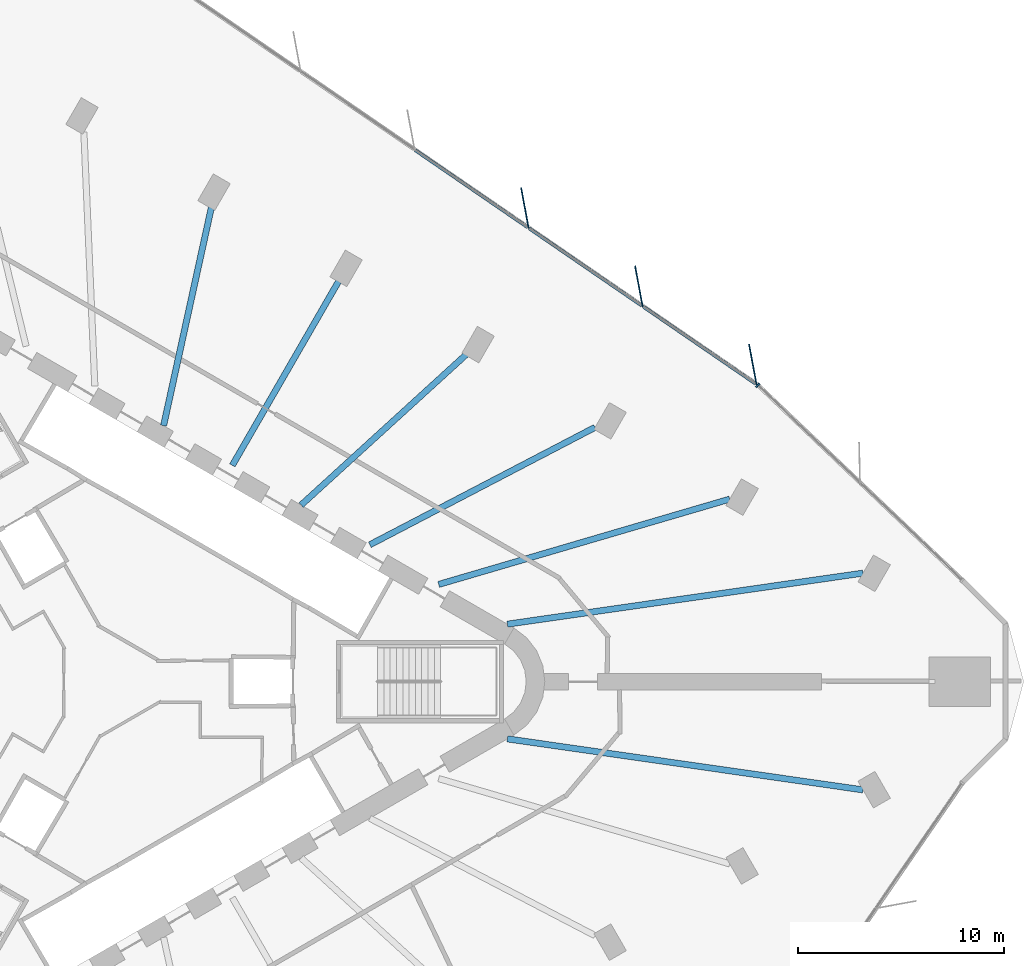
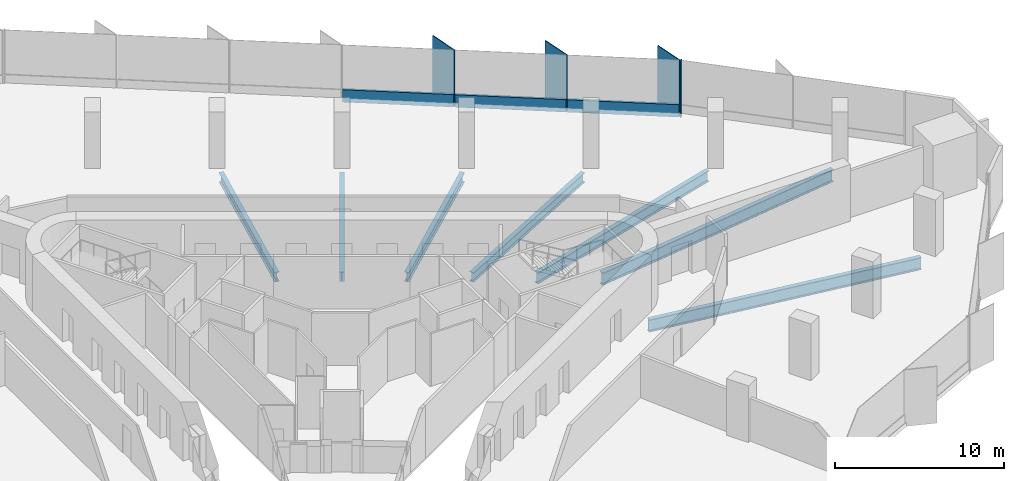
# One storey, part 5 of 14: 7 beams, 7 members, 2 elements without a shape of their own.
"""IFC4 building model written with IfcOpenShell, lengths in metres."""

import ifcopenshell
import ifcopenshell.guid

model = None  # the IFC model being written
_history = None  # IfcOwnerHistory: only IFC2X3 demands one
_inside = {}  # id of a spatial element -> (the spatial element, [elements in it])
_under = {}  # id of a project, library or spatial element -> (it, [spatial elements below it])
_declared = {}  # id of a project -> (the project, [libraries it declares])
_typed = {}  # id of a type object -> (the type object, [elements of that type])
_made_of = {}  # id of a material, layer set ... -> (it, [elements and type objects made of it])


def new_model(schema):
    """Start an empty IFC model of exactly this schema.

    Asked for "IFC4X3", IfcOpenShell would pick the latest addendum, in which some entities
    have other attributes; the version numbers below select the first issue.
    IFC2X3 requires an IfcOwnerHistory on every rooted entity: one is made here for all.
    """
    global model, _history
    if schema == "IFC4X3":
        model = ifcopenshell.file(schema_version=(4, 3, 0, 0))
    else:
        model = ifcopenshell.file(schema=schema)
    _inside.clear()
    _under.clear()
    _declared.clear()
    _typed.clear()
    _made_of.clear()
    _history = None
    if model.schema == "IFC2X3":
        org = make("IfcOrganization", Name="unknown")
        user = make(
            "IfcPersonAndOrganization",
            ThePerson=make("IfcPerson", FamilyName="unknown"),
            TheOrganization=org,
        )
        app = make(
            "IfcApplication",
            ApplicationDeveloper=org,
            Version="unknown",
            ApplicationFullName="unknown",
            ApplicationIdentifier="unknown",
        )
        _history = make(
            "IfcOwnerHistory",
            OwningUser=user,
            OwningApplication=app,
            ChangeAction="ADDED",
            CreationDate=0,
        )
    return model


def make(cls, **values):
    """One entity of the class cls with the attributes given. An attribute that is None is left unset."""
    return model.create_entity(
        cls, **{name: value for name, value in values.items() if value is not None}
    )


def rooted(cls, **values):
    """An entity with a GlobalId (a new one), such as an element, a storey or a relation."""
    return make(cls, GlobalId=ifcopenshell.guid.new(), OwnerHistory=_history, **values)


def si_unit(unit_type, name, prefix=None):
    """IfcSIUnit, for example si_unit("LENGTHUNIT", "METRE", prefix="MILLI")."""
    return make("IfcSIUnit", UnitType=unit_type, Prefix=prefix, Name=name)


def assignment(units):
    """IfcUnitAssignment: the units of a project."""
    return None if units is None else make("IfcUnitAssignment", Units=units)


def point(xyz):
    """IfcCartesianPoint."""
    return None if xyz is None else make("IfcCartesianPoint", Coordinates=xyz)


def direction(xyz):
    """IfcDirection."""
    return None if xyz is None else make("IfcDirection", DirectionRatios=xyz)


def frame(location, z_axis=None, x_axis=None):
    """IfcAxis2Placement3D, a coordinate frame: its origin and axes. An axis left out is left unset."""
    return make(
        "IfcAxis2Placement3D",
        Location=point(location),
        Axis=direction(z_axis),
        RefDirection=direction(x_axis),
    )


def frame_2d(location, x_axis=None):
    """IfcAxis2Placement2D, a coordinate frame in the plane: its origin and x axis."""
    return make(
        "IfcAxis2Placement2D", Location=point(location), RefDirection=direction(x_axis)
    )


def origin():
    """The frame at (0, 0, 0) with its axes left unset."""
    return frame((0.0, 0.0, 0.0))


def origin_2d():
    """The frame at (0, 0) in the plane with its x axis left unset."""
    return frame_2d((0.0, 0.0))


def place(relative_to, where):
    """IfcLocalPlacement: puts the frame where relative to a parent placement (None: the world)."""
    return make(
        "IfcLocalPlacement", PlacementRelTo=relative_to, RelativePlacement=where
    )


def context(
    kind, dimensions, precision=None, world=None, true_north=None, identifier=None
):
    """IfcGeometricRepresentationContext, for example the 3D "Model" context."""
    return make(
        "IfcGeometricRepresentationContext",
        ContextIdentifier=identifier,
        ContextType=kind,
        CoordinateSpaceDimension=dimensions,
        Precision=precision,
        WorldCoordinateSystem=world,
        TrueNorth=true_north,
    )


def subcontext(parent, identifier, kind, view, scale=None):
    """IfcGeometricRepresentationSubContext, for example "Body" below "Model"."""
    return make(
        "IfcGeometricRepresentationSubContext",
        ContextIdentifier=identifier,
        ContextType=kind,
        ParentContext=parent,
        TargetScale=scale,
        TargetView=view,
    )


def project(units=None, contexts=None):
    """IfcProject with its units and contexts."""
    return rooted(
        "IfcProject",
        Name="project",
        RepresentationContexts=contexts,
        UnitsInContext=assignment(units),
    )


def spatial(cls, under=None, at=None, **own):
    """A site, building, storey or space (cls), placed at a placement, below another one or the project."""
    s = rooted(cls, ObjectPlacement=at, **own)
    if under is not None:
        _under.setdefault(under.id(), (under, []))[1].append(s)
    return s


def profile(cls, at=None, kind="AREA", **sizes):
    """A parametric profile (cls). Its sizes go by their IFC names, for example OverallWidth=200.0."""
    return make(cls, ProfileType=kind, Position=at, **sizes)


def rectangle(**sizes):
    """IfcRectangleProfileDef."""
    return profile("IfcRectangleProfileDef", **sizes)


def i_section(**sizes):
    """IfcIShapeProfileDef."""
    return profile("IfcIShapeProfileDef", **sizes)


def extrude(swept, where, along, depth):
    """IfcExtrudedAreaSolid: the profile swept, set in the frame where, extruded along a direction by depth."""
    return make(
        "IfcExtrudedAreaSolid",
        SweptArea=swept,
        Position=where,
        ExtrudedDirection=direction(along),
        Depth=depth,
    )


def shape(context_of_items, identifier, shape_type, items):
    """IfcShapeRepresentation: the items that make up one representation, for example the "Body"."""
    return make(
        "IfcShapeRepresentation",
        ContextOfItems=context_of_items,
        RepresentationIdentifier=identifier,
        RepresentationType=shape_type,
        Items=items,
    )


def material(Name=None, Category=None):
    """IfcMaterial."""
    return make("IfcMaterial", Name=Name, Category=Category)


def material_profile(
    of_material, cross_section, Name=None, Category=None, Priority=None
):
    """IfcMaterialProfile: a cross section and its material."""
    return make(
        "IfcMaterialProfile",
        Name=Name,
        Material=of_material,
        Profile=cross_section,
        Priority=Priority,
        Category=Category,
    )


def profile_set(profiles, Name=None, composite=None):
    """IfcMaterialProfileSet."""
    return make(
        "IfcMaterialProfileSet",
        Name=Name,
        MaterialProfiles=profiles,
        CompositeProfile=composite,
    )


def made_of(thing, what):
    """Note that an element or type object is made of a material, layer set ...; save() writes the relation."""
    if what is not None:
        _made_of.setdefault(what.id(), (what, []))[1].append(thing)
    return thing


def type_object(cls, material=None, **own):
    """A type object (cls), such as IfcWallType, which elements share."""
    return made_of(rooted(cls, **own), material)


def element(
    cls,
    number,
    at=None,
    inside=None,
    cuts=None,
    type_object=None,
    material=None,
    context=None,
    identifier="Body",
    shape_type=None,
    held_by="IfcProductDefinitionShape",
    body=None,
    shapes=None,
    **own,
):
    """One element of the class cls, such as IfcWall. Its Tag is "e" and its number.

    at: its placement. inside: the storey or other place that contains it. cuts: it is an
    opening in that element (IfcRelVoidsElement). A single representation is given by context,
    identifier, shape_type and body (its items); several are given by shapes. held_by: the class
    of the entity that holds the representations. save() writes the other relations.
    """
    e = rooted(cls, Tag="e%d" % number, ObjectPlacement=at, **own)
    if body is not None:
        shapes = [shape(context, identifier, shape_type, body)]
    if shapes is not None:
        e.Representation = make(held_by, Representations=shapes)
    if inside is not None:
        _inside.setdefault(inside.id(), (inside, []))[1].append(e)
    if cuts is not None:
        rooted(
            "IfcRelVoidsElement", RelatingBuildingElement=cuts, RelatedOpeningElement=e
        )
    if type_object is not None:
        _typed.setdefault(type_object.id(), (type_object, []))[1].append(e)
    return made_of(e, material)


def aggregate(whole, parts):
    """IfcRelAggregates: a whole, such as a stair, and the parts it consists of."""
    return rooted("IfcRelAggregates", RelatingObject=whole, RelatedObjects=parts)


def save(model, path):
    """Write the relations noted so far, then the file.

    IfcRelAggregates (storeys below a building ...), IfcRelContainedInSpatialStructure (elements
    in a storey), IfcRelDefinesByType, IfcRelAssociatesMaterial and IfcRelDeclares: one each for
    every whole, place, type object, material and project.
    """
    for whole, parts in _under.values():
        aggregate(whole, parts)
    for where, things in _inside.values():
        rooted(
            "IfcRelContainedInSpatialStructure",
            RelatedElements=things,
            RelatingStructure=where,
        )
    for kind, things in _typed.values():
        rooted("IfcRelDefinesByType", RelatedObjects=things, RelatingType=kind)
    for what, things in _made_of.values():
        rooted("IfcRelAssociatesMaterial", RelatedObjects=things, RelatingMaterial=what)
    for by, libraries in _declared.values():
        rooted("IfcRelDeclares", RelatingContext=by, RelatedDefinitions=libraries)
    model.write(path)


model = new_model("IFC4")

# Units and contexts
model_context = context("Model", 3, precision=1e-05, world=origin(), true_north=direction((0.0, 1.0)))
body_context = subcontext(model_context, "Body", "Model", "MODEL_VIEW")
ifc_project = project(units=[si_unit("LENGTHUNIT", "METRE"), si_unit("AREAUNIT", "SQUARE_METRE"), si_unit("VOLUMEUNIT", "CUBIC_METRE"), si_unit("PLANEANGLEUNIT", "RADIAN"), si_unit("MASSUNIT", "GRAM", prefix="KILO")], contexts=[model_context])

# Site, building, storey
site_placement = place(None, origin())
site = spatial("IfcSite", under=ifc_project, at=site_placement, CompositionType="ELEMENT")
building_placement = place(site_placement, origin())
building = spatial("IfcBuilding", under=site, at=building_placement, Name="Tanit Gate Tower", CompositionType="ELEMENT")
storey_placement = place(building_placement, frame((0.0, 0.0, 82.39990234375)))
storey = spatial("IfcBuildingStorey", under=building, at=storey_placement, Name="L16", CompositionType="ELEMENT", Elevation=82.39990234375)

# Curtain wall, members
ifc_material_1 = material(Name="Aluminium bronze anodised and glass", Category="aluminium")
curtain_wall_type = type_object("IfcCurtainWallType", Name="Curtain wall typical low", PredefinedType="NOTDEFINED", material=ifc_material_1)
curtain_wall_1_placement = place(storey_placement, origin())
curtain_wall_1 = element("IfcCurtainWall", 1, at=curtain_wall_1_placement, inside=storey, type_object=curtain_wall_type, Name="Curtain wall L16 NE2", PredefinedType="NOTDEFINED")
ifc_material_2 = material(Name="Aluminium bronze anodised", Category="aluminium")
ifc_material_profile_1 = material_profile(ifc_material_2, rectangle(XDim=2.0, YDim=0.055908203125, at=origin_2d()), Name="56x2000 bronze fin mullion")
ifc_profile_set_1 = profile_set([ifc_material_profile_1], Name="Aluminium bronze anodised")
member_type_1 = type_object("IfcMemberType", Name="FIN MULLION 56x2000 bronze", PredefinedType="MULLION", material=ifc_profile_set_1)
member_1_placement = place(storey_placement, frame((31.282470703125, 15.37060546875, -0.2998046875), z_axis=(0.0, 0.0, 1.0), x_axis=(0.182983013261, -0.983116074967, 0.0)))
member_1 = element("IfcMember", 2, at=member_1_placement, type_object=member_type_1, Name="Fin mullion L16 NE2.1", PredefinedType="MULLION", context=body_context, shape_type="SweptSolid", body=[
    extrude(rectangle(XDim=2.0, YDim=0.055908203125, at=origin_2d()), origin(), (0.0, 0.0, 1.0), 4.099853515625),
])
member_2_placement = place(storey_placement, frame((25.7578125, 19.161376953125, -0.2998046875), z_axis=(0.0, 0.0, 1.0), x_axis=(0.182983013261, -0.983116074967, 0.0)))
member_2 = element("IfcMember", 3, at=member_2_placement, type_object=member_type_1, Name="Fin mullion L16 NE2.2", PredefinedType="MULLION", context=body_context, shape_type="SweptSolid", body=[
    extrude(rectangle(XDim=2.0, YDim=0.055908203125, at=origin_2d()), origin(), (0.0, 0.0, 1.0), 4.099853515625),
])
member_3_placement = place(storey_placement, frame((20.233154296875, 22.9521484375, -0.2998046875), z_axis=(0.0, 0.0, 1.0), x_axis=(0.182983013261, -0.983116074967, 0.0)))
member_3 = element("IfcMember", 4, at=member_3_placement, type_object=member_type_1, Name="Fin mullion L16 NE2.3", PredefinedType="MULLION", context=body_context, shape_type="SweptSolid", body=[
    extrude(rectangle(XDim=2.0, YDim=0.055908203125, at=origin_2d()), origin(), (0.0, 0.0, 1.0), 4.099853515625),
])

# Curtain wall, member
curtain_wall_2_placement = place(storey_placement, origin())
curtain_wall_2 = element("IfcCurtainWall", 5, at=curtain_wall_2_placement, inside=storey, type_object=curtain_wall_type, Name="Curtain wall L16 NE1", PredefinedType="NOTDEFINED")
ifc_material_3 = material(Name="Aluminium bronze anodised", Category="aluminium")
ifc_material_profile_2 = material_profile(ifc_material_3, rectangle(XDim=0.239990234375, YDim=0.080078125, at=origin_2d()), Name="80x240 bronze mullion")
ifc_profile_set_2 = profile_set([ifc_material_profile_2], Name="Aluminium bronze anodised")
member_type_2 = type_object("IfcMemberType", Name="Mullion 80x240 typical low", PredefinedType="MULLION", material=ifc_profile_set_2)
member_4_placement = place(storey_placement, frame((31.5234375, 14.359375, -0.2998046875), z_axis=(0.0, 0.0, 1.0), x_axis=(-0.689974262306, -0.723833901773, 0.0)))
member_4 = element("IfcMember", 6, at=member_4_placement, type_object=member_type_2, Name="Mullion L16 NE1.3", PredefinedType="MULLION", context=body_context, shape_type="SweptSolid", body=[
    extrude(rectangle(XDim=0.239990234375, YDim=0.080078125, at=origin_2d()), origin(), (0.0, 0.0, 1.0), 4.099853515625),
])
aggregate(curtain_wall_2, [member_4])

# Beams
ifc_material_4 = material(Name="Steel S355", Category="steel")
ifc_material_profile_3 = material_profile(ifc_material_4, i_section(OverallWidth=0.300048828125, OverallDepth=0.68994140625, WebThickness=0.014404296875, FlangeThickness=0.027099609375, FilletRadius=0.027099609375, at=origin_2d()), Name="HEA 700")
ifc_profile_set_3 = profile_set([ifc_material_profile_3], Name="Steel S355")
beam_type_1 = type_object("IfcBeamType", Name="RADIAL GIRDER HEA 700 S355", PredefinedType="BEAM", material=ifc_profile_set_3)
beam_1_placement = place(storey_placement, frame((23.635498046875, 12.322021484375, -0.64501953125), z_axis=(-0.886731546417, -0.462284722426, 0.0), x_axis=(0.462284722426, -0.886731546417, 0.0)))
element("IfcBeam", 7, at=beam_1_placement, inside=storey, type_object=beam_type_1, Name="RADIAL GIRDER", PredefinedType="BEAM", context=body_context, shape_type="SweptSolid", body=[
    extrude(i_section(OverallWidth=0.300048828125, OverallDepth=0.68994140625, WebThickness=0.014404296875, FlangeThickness=0.027099609375, FilletRadius=0.027099609375, at=origin_2d()), origin(), (0.0, 0.0, 1.0), 12.31103515625),
])
beam_2_placement = place(storey_placement, frame((17.4375, 15.896728515625, -0.64501953125), z_axis=(-0.73900866501, -0.673695920308, 0.0), x_axis=(0.673695920308, -0.73900866501, 0.0)))
element("IfcBeam", 8, at=beam_2_placement, inside=storey, type_object=beam_type_1, Name="RADIAL GIRDER", PredefinedType="BEAM", context=body_context, shape_type="SweptSolid", body=[
    extrude(i_section(OverallWidth=0.300048828125, OverallDepth=0.68994140625, WebThickness=0.014404296875, FlangeThickness=0.027099609375, FilletRadius=0.027099609375, at=origin_2d()), origin(), (0.0, 0.0, 1.0), 10.896240234375),
])
beam_3_placement = place(storey_placement, frame((11.242919921875, 19.47314453125, -0.64501953125), z_axis=(-0.50000806818, -0.866020745569, 0.0), x_axis=(0.866020745569, -0.50000806818, 0.0)))
element("IfcBeam", 9, at=beam_3_placement, inside=storey, type_object=beam_type_1, Name="RADIAL GIRDER", PredefinedType="BEAM", context=body_context, shape_type="SweptSolid", body=[
    extrude(i_section(OverallWidth=0.300048828125, OverallDepth=0.68994140625, WebThickness=0.014404296875, FlangeThickness=0.027099609375, FilletRadius=0.027099609375, at=origin_2d()), origin(), (0.0, 0.0, 1.0), 10.383544921875),
])
beam_4_placement = place(storey_placement, frame((5.04833984375, 23.049560546875, -0.64501953125), z_axis=(-0.213952125378, -0.976844147265, 0.0), x_axis=(0.976844147265, -0.213952125378, 0.0)))
element("IfcBeam", 10, at=beam_4_placement, inside=storey, type_object=beam_type_1, Name="RADIAL GIRDER", PredefinedType="BEAM", context=body_context, shape_type="SweptSolid", body=[
    extrude(i_section(OverallWidth=0.300048828125, OverallDepth=0.68994140625, WebThickness=0.014404296875, FlangeThickness=0.027099609375, FilletRadius=0.027099609375, at=origin_2d()), origin(), (0.0, 0.0, 1.0), 10.896240234375),
])
ifc_material_5 = material(Name="Steel S355", Category="steel")
ifc_material_profile_4 = material_profile(ifc_material_5, i_section(OverallWidth=0.300048828125, OverallDepth=0.7900390625, WebThickness=0.014892578125, FlangeThickness=0.028076171875, FilletRadius=0.030029296875, at=origin_2d()), Name="HEA 800")
ifc_profile_set_4 = profile_set([ifc_material_profile_4], Name="Steel S355")
beam_type_2 = type_object("IfcBeamType", Name="RADIAL GIRDER HEA 800 S355", PredefinedType="BEAM", material=ifc_profile_set_4)
beam_5_placement = place(storey_placement, frame((30.1611328125, 8.841796875, -0.69482421875), z_axis=(-0.95961764668, -0.28130761131, 0.0), x_axis=(0.28130761131, -0.95961764668, 0.0)))
element("IfcBeam", 11, at=beam_5_placement, inside=storey, type_object=beam_type_2, Name="RADIAL GIRDER", PredefinedType="BEAM", context=body_context, shape_type="SweptSolid", body=[
    extrude(i_section(OverallWidth=0.300048828125, OverallDepth=0.7900390625, WebThickness=0.014892578125, FlangeThickness=0.028076171875, FilletRadius=0.030029296875, at=origin_2d()), origin(), (0.0, 0.0, 1.0), 14.701904296875),
])
ifc_material_6 = material(Name="Steel S355", Category="steel")
ifc_material_profile_5 = material_profile(ifc_material_6, i_section(OverallWidth=0.300048828125, OverallDepth=0.889892578125, WebThickness=0.01611328125, FlangeThickness=0.030029296875, FilletRadius=0.030029296875, at=origin_2d()), Name="HEA 900")
ifc_profile_set_5 = profile_set([ifc_material_profile_5], Name="Steel S355")
beam_type_3 = type_object("IfcBeamType", Name="RADIAL GIRDER HEA 900 S355", PredefinedType="BEAM", material=ifc_profile_set_5)
for number, where, z_axis, x_axis, name in (
    (12, (36.62451171875, -5.25390625, -0.744873046875), (-0.989867733674, 0.141992499209, 0.0), (-0.141992499209, -0.989867733674, 0.0), "RADIAL GIRDER"),
    (13, (36.62451171875, 5.25390625, -0.744873046875), (-0.989867733674, -0.141992499209, 0.0), (0.141992499209, -0.989867733674, 0.0), "RADIAL GIRDER"),
):
    element("IfcBeam", number, at=place(storey_placement, frame(where, z_axis=z_axis, x_axis=x_axis)), inside=storey, type_object=beam_type_3, Name=name, PredefinedType="BEAM", context=body_context, shape_type="SweptSolid", body=[
        extrude(i_section(OverallWidth=0.300048828125, OverallDepth=0.889892578125, WebThickness=0.01611328125, FlangeThickness=0.030029296875, FilletRadius=0.030029296875, at=origin_2d()), origin(), (0.0, 0.0, 1.0), 17.4140625),
    ])

# Member
ifc_material_7 = material(Name="Aluminium bronze anodised", Category="aluminium")
ifc_material_profile_6 = material_profile(ifc_material_7, rectangle(XDim=0.159912109375, YDim=0.89990234375, at=origin_2d()), Name="160x900 bronze transom")
ifc_profile_set_6 = profile_set([ifc_material_profile_6], Name="Aluminium bronze anodised")
member_type_3 = type_object("IfcMemberType", Name="Transom 160x900 typical low", PredefinedType="USERDEFINED", material=ifc_profile_set_6)
member_5_placement = place(storey_placement, frame((31.428466796875, 14.432373046875, 0.150146484375), z_axis=(-0.824572049621, 0.565756957522, 0.0), x_axis=(-0.565756957522, -0.824572049621, 0.0)))
member_5 = element("IfcMember", 14, at=member_5_placement, type_object=member_type_3, Name="Transom L16 NE2.1", ObjectType="TRANSOM", PredefinedType="USERDEFINED", context=body_context, shape_type="SweptSolid", body=[
    extrude(rectangle(XDim=0.159912109375, YDim=0.89990234375, at=origin_2d()), origin(), (0.0, 0.0, 1.0), 6.6201171875),
])

member_6_placement = place(storey_placement, frame((25.90380859375, 18.22314453125, 0.150146484375), z_axis=(-0.824554845388, 0.565782031305, 0.0), x_axis=(-0.565782031305, -0.824554845388, 0.0)))
member_6 = element("IfcMember", 15, at=member_6_placement, type_object=member_type_3, Name="Transom L16 NE2.2", ObjectType="TRANSOM", PredefinedType="USERDEFINED", context=body_context, shape_type="SweptSolid", body=[
    extrude(rectangle(XDim=0.159912109375, YDim=0.89990234375, at=origin_2d()), origin(), (0.0, 0.0, 1.0), 6.6201171875),
])

member_7_placement = place(storey_placement, frame((20.379150390625, 22.013916015625, 0.150146484375), z_axis=(-0.824554845388, 0.565782031305, 0.0), x_axis=(-0.565782031305, -0.824554845388, 0.0)))
member_7 = element("IfcMember", 16, at=member_7_placement, type_object=member_type_3, Name="Transom L16 NE2.3", ObjectType="TRANSOM", PredefinedType="USERDEFINED", context=body_context, shape_type="SweptSolid", body=[
    extrude(rectangle(XDim=0.159912109375, YDim=0.89990234375, at=origin_2d()), origin(), (0.0, 0.0, 1.0), 6.6201171875),
])

aggregate(curtain_wall_1, [member_1, member_2, member_3, member_5, member_6, member_7])

save(model, "model.ifc")
